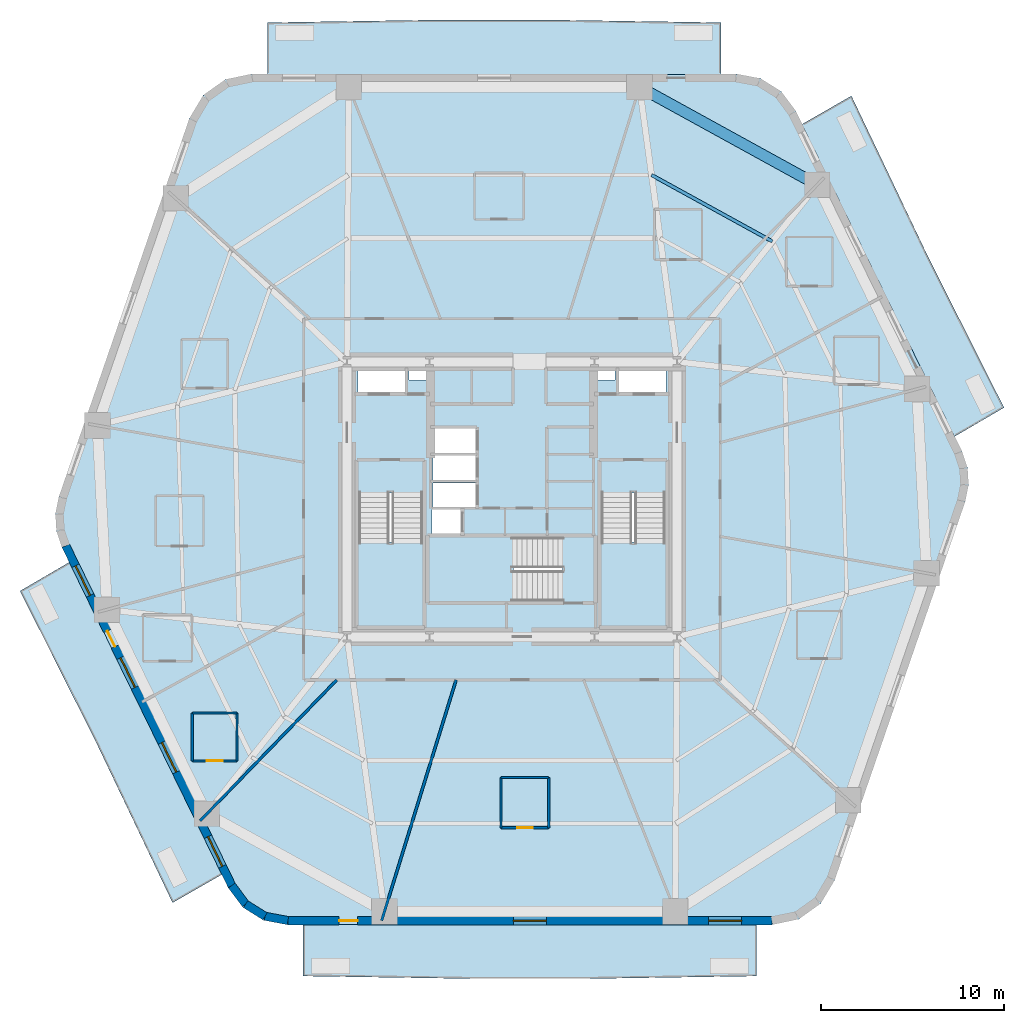
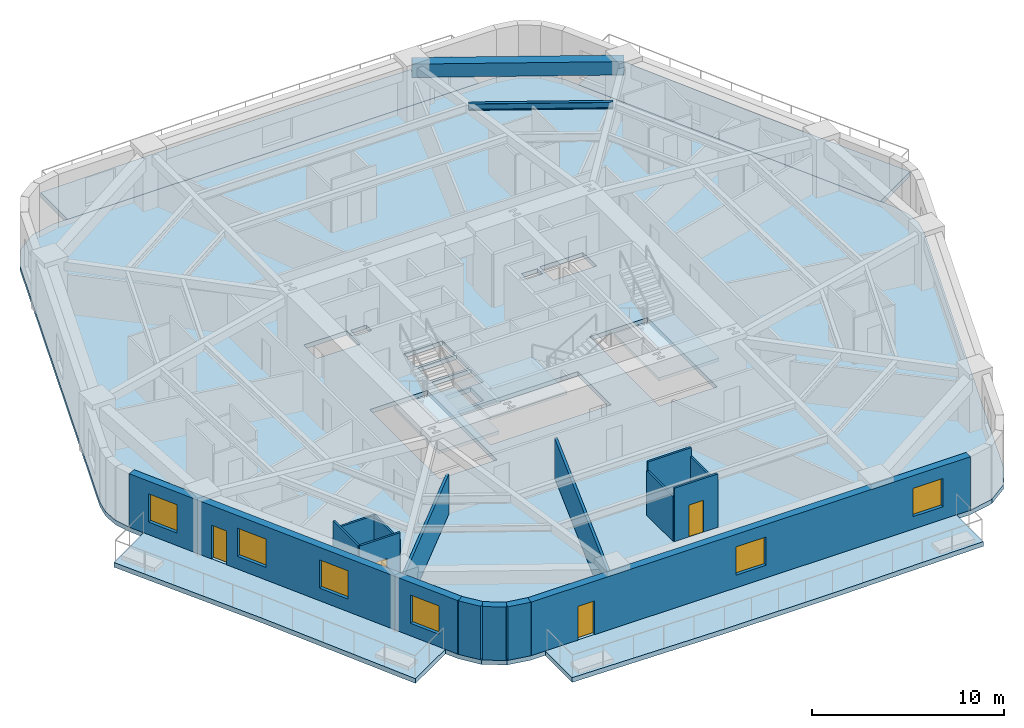
# One storey, part 2 of 10: 15 walls, 8 slabs, 6 windows, 4 doors, 2 beams, 10 openings, 3 elements without a shape of their own.
"""IFC4 building model written with IfcOpenShell, lengths in metres."""

from ifc_helpers import new_model, si_unit, direction, frame, frame_2d, origin, origin_2d, place, context, subcontext, project, spatial, polyline, rectangle, i_section, outline, extrude, material, layer, layer_set, material_profile, profile_set, type_object, element, fill, aggregate, save


model = new_model("IFC4")

# Units and contexts
model_context = context("Model", 3, precision=1e-05, world=origin(), true_north=direction((0.0, 1.0)))
body_context = subcontext(model_context, "Body", "Model", "MODEL_VIEW")
ifc_project = project(units=[si_unit("LENGTHUNIT", "METRE"), si_unit("AREAUNIT", "SQUARE_METRE"), si_unit("VOLUMEUNIT", "CUBIC_METRE"), si_unit("PLANEANGLEUNIT", "RADIAN"), si_unit("MASSUNIT", "GRAM", prefix="KILO")], contexts=[model_context])

# Site, building, storey
site_placement = place(None, origin())
site = spatial("IfcSite", under=ifc_project, at=site_placement, CompositionType="ELEMENT")
building_placement = place(site_placement, origin())
building = spatial("IfcBuilding", under=site, at=building_placement, Name="Kilnhurst Terrace Hotel", CompositionType="ELEMENT")
storey_placement = place(building_placement, frame((0.0, 0.0, 56.39990234375)))
storey = spatial("IfcBuildingStorey", under=building, at=storey_placement, Name="L12", CompositionType="ELEMENT", Elevation=56.39990234375)

# Beams
ifc_material_1 = material(Name="Concrete C50/60", Category="concrete")
ifc_material_profile_1 = material_profile(ifc_material_1, rectangle(XDim=0.60009765625, YDim=0.85009765625, at=origin_2d()), Name="RC600X850")
ifc_profile_set_1 = profile_set([ifc_material_profile_1], Name="Concrete C50/60")
beam_type_1 = type_object("IfcBeamType", Name="BM-SPN-600X850", PredefinedType="SPANDREL", material=ifc_profile_set_1)
beam_1_placement = place(storey_placement, frame((16.64306640625, 17.152099609375, 2.97509765625), z_axis=(-0.876235488803, 0.481883147829, 0.0), x_axis=(-0.481883147829, -0.876235488803, 0.0)))
element("IfcBeam", 1, at=beam_1_placement, inside=storey, type_object=beam_type_1, Name="L12 Perimeter Spandrel Beam 6", PredefinedType="SPANDREL", context=body_context, shape_type="SweptSolid", body=[
    extrude(rectangle(XDim=0.60009765625, YDim=0.85009765625, at=origin_2d()), origin(), (0.0, 0.0, 1.0), 11.056396484375),
])
ifc_material_2 = material(Name="Steel ASTM A992 Grade 50", Category="steel")
ifc_material_profile_2 = material_profile(ifc_material_2, i_section(OverallWidth=0.180908203125, OverallDepth=0.417236328125, WebThickness=0.010986328125, FlangeThickness=0.018310546875, at=origin_2d()), Name="W16X57")
ifc_profile_set_2 = profile_set([ifc_material_profile_2], Name="Steel ASTM A992 Grade 50")
beam_type_2 = type_object("IfcBeamType", Name="JST-STL-W16X57", PredefinedType="JOIST", material=ifc_profile_set_2)
beam_2_placement = place(storey_placement, frame((14.197265625, 14.0634765625, 3.191162109375), z_axis=(-0.876246073632, 0.481863900334, 0.0), x_axis=(-0.481863900334, -0.876246073632, 0.0)))
element("IfcBeam", 2, at=beam_2_placement, inside=storey, type_object=beam_type_2, Name="L12 Secondary Floor Steel Joist OUT.6", PredefinedType="JOIST", context=body_context, shape_type="SweptSolid", body=[
    extrude(i_section(OverallWidth=0.180908203125, OverallDepth=0.417236328125, WebThickness=0.010986328125, FlangeThickness=0.018310546875, at=origin_2d()), origin(), (0.0, 0.0, 1.0), 7.518310546875),
])

# Slabs
ifc_layer_1 = layer(ifc_material_1, 0.300048828125, Name="Concrete C50/60")
ifc_layer_set_1 = layer_set([ifc_layer_1], Name="Concrete C50/60")
slab_type_1 = type_object("IfcSlabType", Name="SLB-BAL-300", PredefinedType="FLOOR", material=ifc_layer_set_1)
slab_1_placement = place(storey_placement, frame((0.0, 0.0, -0.2998046875)))
element("IfcSlab", 3, at=slab_1_placement, inside=storey, type_object=slab_type_1, Name="L12 Cantilevered Planted Terrace Slab BAL-L1A", PredefinedType="FLOOR", context=body_context, shape_type="SweptSolid", body=[
    extrude(outline(polyline([(22.697021484375, 13.21142578125), (26.830810546875, 5.0), (24.128662109375, 3.42333984375), (15.809814453125, 20.452880859375), (18.509521484375, 22.0), (22.697021484375, 13.21142578125)])), origin(), (0.0, 0.0, 1.0), 0.2998046875),
])
slab_2_placement = place(storey_placement, frame((0.0, 0.0, -0.2998046875)))
element("IfcSlab", 4, at=slab_2_placement, inside=storey, type_object=slab_type_1, Name="L12 Cantilevered Planted Terrace Slab BAL-L1B", PredefinedType="FLOOR", context=body_context, shape_type="SweptSolid", body=[
    extrude(outline(polyline([(2.279541015625, 26.139892578125), (11.39208984375, 26.0), (11.39208984375, 23.179931640625), (-13.341552734375, 23.179931640625), (-13.341552734375, 26.0), (-4.229248046875, 26.139892578125), (2.279541015625, 26.139892578125)])), origin(), (0.0, 0.0, 1.0), 0.2998046875),
])
slab_3_placement = place(storey_placement, frame((0.0, 0.0, -0.2998046875)))
element("IfcSlab", 5, at=slab_3_placement, inside=storey, type_object=slab_type_1, Name="L12 Cantilevered Planted Terrace Slab BAL-L2A", PredefinedType="FLOOR", context=body_context, shape_type="SweptSolid", body=[
    extrude(outline(polyline([(-26.830810546875, -5.0), (-24.128662109375, -3.42333984375), (-15.809814453125, -20.452880859375), (-18.509521484375, -22.0), (-22.697021484375, -13.21142578125), (-26.830810546875, -5.0)])), origin(), (0.0, 0.0, 1.0), 0.2998046875),
])
slab_4_placement = place(storey_placement, frame((0.0, 0.0, -0.2998046875)))
element("IfcSlab", 6, at=slab_4_placement, inside=storey, type_object=slab_type_1, Name="L12 Cantilevered Planted Terrace Slab BAL-L2B", PredefinedType="FLOOR", context=body_context, shape_type="SweptSolid", body=[
    extrude(outline(polyline([(-2.279541015625, -26.139892578125), (-11.39208984375, -26.0), (-11.39208984375, -23.179931640625), (13.341552734375, -23.179931640625), (13.341552734375, -26.0), (4.229248046875, -26.139892578125), (-2.279541015625, -26.139892578125)])), origin(), (0.0, 0.0, 1.0), 0.2998046875),
])
ifc_layer_2 = layer(ifc_material_1, 0.280029296875, Name="Concrete C50/60")
ifc_layer_set_2 = layer_set([ifc_layer_2], Name="Concrete C50/60")
slab_type_2 = type_object("IfcSlabType", Name="SLB-FLR-280", PredefinedType="FLOOR", material=ifc_layer_set_2)
slab_5_placement = place(storey_placement, frame((0.0, 0.0, -0.27978515625)))
element("IfcSlab", 7, at=slab_5_placement, inside=storey, type_object=slab_type_2, Name="L12 Structural Floor Slab", PredefinedType="FLOOR", context=body_context, shape_type="SweptSolid", body=[
    extrude(outline(polyline([(-15.476806640625, -21.18017578125), (-14.680908203125, -22.248046875), (-13.551025390625, -22.95361328125), (-12.241943359375, -23.199951171875), (14.191650390625, -23.199951171875), (15.635986328125, -22.8974609375), (16.837890625, -22.040771484375), (17.5947265625, -20.773681640625), (24.712890625, -0.135986328125), (24.90087890625, 0.7861328125), (24.843505859375, 1.7255859375), (24.54443359375, 2.617919921875), (15.476806640625, 21.18017578125), (14.680908203125, 22.248046875), (13.551025390625, 22.95361328125), (12.241943359375, 23.199951171875), (-14.191650390625, 23.199951171875), (-15.635986328125, 22.8974609375), (-16.837890625, 22.040771484375), (-17.5947265625, 20.773681640625), (-24.712890625, 0.135986328125), (-24.90087890625, -0.7861328125), (-24.843505859375, -1.7255859375), (-24.54443359375, -2.617919921875), (-15.476806640625, -21.18017578125)]), holes=[polyline([(-8.35009765625, 0.35498046875), (-4.8798828125, 0.35498046875), (-4.8798828125, -6.89990234375), (-8.35009765625, -6.89990234375), (-8.35009765625, 0.35498046875)]), polyline([(-2.800048828125, -1.89990234375), (-4.35009765625, -1.89990234375), (-4.35009765625, -0.550048828125), (-2.800048828125, -0.550048828125), (-2.800048828125, -1.89990234375)]), polyline([(-1.949951171875, -0.429931640625), (-4.300048828125, -0.429931640625), (-4.300048828125, 0.89990234375), (-1.949951171875, 0.89990234375), (-1.949951171875, -0.429931640625)]), polyline([(-4.300048828125, 1.050048828125), (-4.300048828125, 2.3798828125), (-1.949951171875, 2.3798828125), (-1.949951171875, 1.050048828125), (-4.300048828125, 1.050048828125)]), polyline([(-8.39990234375, 5.75), (-8.39990234375, 7.14990234375), (-5.800048828125, 7.14990234375), (-5.800048828125, 5.75), (-8.39990234375, 5.75)]), polyline([(-4.659912109375, 6.52001953125), (-5.6201171875, 6.52001953125), (-5.6201171875, 7.080078125), (-4.659912109375, 7.080078125), (-4.659912109375, 6.52001953125)]), polyline([(2.7548828125, -5.550048828125), (-4.5, -5.550048828125), (-4.5, -2.080078125), (2.7548828125, -2.080078125), (2.7548828125, -5.550048828125)]), polyline([(8.35009765625, 0.35498046875), (8.35009765625, -6.89990234375), (4.8798828125, -6.89990234375), (4.8798828125, 0.35498046875), (8.35009765625, 0.35498046875)]), polyline([(-1.949951171875, 2.530029296875), (-4.300048828125, 2.530029296875), (-4.300048828125, 3.860107421875), (-1.949951171875, 3.860107421875), (-1.949951171875, 2.530029296875)]), polyline([(5.800048828125, 5.75), (5.800048828125, 7.14990234375), (8.39990234375, 7.14990234375), (8.39990234375, 5.75), (5.800048828125, 5.75)]), polyline([(4.659912109375, 6.52001953125), (4.659912109375, 7.080078125), (5.6201171875, 7.080078125), (5.6201171875, 6.52001953125), (4.659912109375, 6.52001953125)])]), origin(), (0.0, 0.0, 1.0), 0.27978515625),
])

# Stair, slab
stair_type = type_object("IfcStairType", Name="STR-CORE-1660", PredefinedType="HALF_TURN_STAIR", material=ifc_material_1)
stair_1_placement = place(storey_placement, origin())
stair_1 = element("IfcStair", 8, at=stair_1_placement, inside=storey, type_object=stair_type, Name="L12 ST-1", PredefinedType="HALF_TURN_STAIR")
ifc_layer_3 = layer(ifc_material_1, 0.199951171875, Name="Concrete C50/60")
ifc_layer_set_3 = layer_set([ifc_layer_3], Name="Concrete C50/60")
slab_type_3 = type_object("IfcSlabType", Name="SLB-ST-LND-200", PredefinedType="LANDING", material=ifc_layer_set_3)
slab_6_placement = place(storey_placement, frame((0.0, 0.0, 1.650146484375)))
slab_6 = element("IfcSlab", 9, at=slab_6_placement, type_object=slab_type_3, Name="ST-1 landing 1", PredefinedType="LANDING", context=body_context, shape_type="SweptSolid", body=[
    extrude(outline(polyline([(-8.429931640625, -2.330078125), (-4.800048828125, -2.330078125), (-4.800048828125, -6.97998046875), (-8.429931640625, -6.97998046875), (-8.429931640625, -2.330078125)])), origin(), (0.0, 0.0, 1.0), 0.199951171875),
])
aggregate(stair_1, [slab_6])

stair_2_placement = place(storey_placement, origin())
stair_2 = element("IfcStair", 10, at=stair_2_placement, inside=storey, type_object=stair_type, Name="L12 ST-2", PredefinedType="HALF_TURN_STAIR")
slab_7_placement = place(storey_placement, frame((0.0, 0.0, 1.650146484375)))
slab_7 = element("IfcSlab", 11, at=slab_7_placement, type_object=slab_type_3, Name="ST-2 landing 1", PredefinedType="LANDING", context=body_context, shape_type="SweptSolid", body=[
    extrude(outline(polyline([(4.800048828125, -2.330078125), (8.429931640625, -2.330078125), (8.429931640625, -6.97998046875), (4.800048828125, -6.97998046875), (4.800048828125, -2.330078125)])), origin(), (0.0, 0.0, 1.0), 0.199951171875),
])
aggregate(stair_2, [slab_7])

stair_3_placement = place(storey_placement, origin())
stair_3 = element("IfcStair", 12, at=stair_3_placement, inside=storey, type_object=stair_type, Name="L12 ST-3", PredefinedType="HALF_TURN_STAIR")
slab_8_placement = place(storey_placement, frame((0.0, 0.0, 1.650146484375)))
slab_8 = element("IfcSlab", 13, at=slab_8_placement, type_object=slab_type_3, Name="ST-3 landing 1", PredefinedType="LANDING", context=body_context, shape_type="SweptSolid", body=[
    extrude(outline(polyline([(0.070068359375, -2.0), (0.070068359375, -5.6298828125), (-4.580078125, -5.6298828125), (-4.580078125, -2.0), (0.070068359375, -2.0)])), origin(), (0.0, 0.0, 1.0), 0.199951171875),
])
aggregate(stair_3, [slab_8])

# Walls
ifc_material_3 = material(Name="Precast concrete C40/50", Category="concrete")
ifc_layer_4 = layer(ifc_material_3, 0.449951171875, Name="Precast concrete C40/50")
ifc_layer_set_4 = layer_set([ifc_layer_4], Name="Precast concrete C40/50")
wall_type_1 = type_object("IfcWallType", Name="WL-BRK-450", PredefinedType="SOLIDWALL", material=ifc_layer_set_4)
wall_1_placement = place(storey_placement, frame((-15.28369140625, -21.0625, 0.0), z_axis=(0.0, 0.0, 1.0), x_axis=(0.597595366449, -0.801797841104, 0.0)))
element("IfcWall", 14, at=wall_1_placement, inside=storey, type_object=wall_type_1, Name="L12 Rounded Corner Brick Wall C1.1", PredefinedType="SOLIDWALL", context=body_context, shape_type="SweptSolid", body=[
    extrude(rectangle(XDim=1.2685546875, YDim=0.449951171875, at=frame_2d((0.63427734375, 0.0))), origin(), (0.0, 0.0, 1.0), 3.400146484375),
])
wall_2_placement = place(storey_placement, frame((-14.525634765625, -22.07958984375, 0.0), z_axis=(0.0, 0.0, 1.0), x_axis=(0.848185203596, -0.529699783275, 0.0)))
element("IfcWall", 15, at=wall_2_placement, inside=storey, type_object=wall_type_1, Name="L12 Rounded Corner Brick Wall C1.2", PredefinedType="SOLIDWALL", context=body_context, shape_type="SweptSolid", body=[
    extrude(rectangle(XDim=1.247314453125, YDim=0.449951171875, at=frame_2d((0.62353515625, 0.0))), origin(), (0.0, 0.0, 1.0), 3.400146484375),
])
wall_3_placement = place(storey_placement, frame((-13.4677734375, -22.740234375, 0.0), z_axis=(0.0, 0.0, 1.0), x_axis=(0.982717174228, -0.185113358451, 0.0)))
element("IfcWall", 16, at=wall_3_placement, inside=storey, type_object=wall_type_1, Name="L12 Rounded Corner Brick Wall C1.3", PredefinedType="SOLIDWALL", context=body_context, shape_type="SweptSolid", body=[
    extrude(rectangle(XDim=1.268798828125, YDim=0.449951171875, at=frame_2d((0.63427734375, 0.0))), origin(), (0.0, 0.0, 1.0), 3.400146484375),
])

# Wall, openings, door, windows
wall_4_placement = place(storey_placement, frame((-12.220947265625, -22.97509765625, 0.0), z_axis=(0.0, 0.0, 1.0), x_axis=(1.0, 0.0, 0.0)))
wall_4 = element("IfcWall", 17, at=wall_4_placement, inside=storey, type_object=wall_type_1, Name="L12 Exterior Brick Facade Wall F1", PredefinedType="SOLIDWALL", context=body_context, shape_type="SweptSolid", body=[
    extrude(rectangle(XDim=26.38916015625, YDim=0.449951171875, at=frame_2d((13.194580078125, 0.0))), origin(), (0.0, 0.0, 1.0), 3.400146484375),
])
opening_1_placement = place(wall_4_placement, frame((2.799072265625, 0.0, 0.0)))
opening_1 = element("IfcOpeningElement", 18, at=opening_1_placement, cuts=wall_4, Name="Opening BD-1000", PredefinedType="OPENING", context=body_context, shape_type="SweptSolid", body=[
    extrude(rectangle(XDim=1.0, YDim=2.14990234375, at=frame_2d((0.5, 1.074951171875))), frame((0.0, 0.23486328125, 0.0), z_axis=(0.0, -1.0, 0.0), x_axis=(1.0, 0.0, 0.0)), (0.0, 0.0, 1.0), 0.469970703125),
])
opening_2_placement = place(wall_4_placement, frame((12.2958984375, 0.0, 0.800048828125)))
opening_2 = element("IfcOpeningElement", 19, at=opening_2_placement, cuts=wall_4, Name="Opening W-01", PredefinedType="OPENING", context=body_context, shape_type="SweptSolid", body=[
    extrude(rectangle(XDim=1.800048828125, YDim=1.800048828125, at=frame_2d((0.89990234375, 0.89990234375))), frame((0.0, 0.23486328125, 0.0), z_axis=(0.0, -1.0, 0.0), x_axis=(1.0, 0.0, 0.0)), (0.0, 0.0, 1.0), 0.469970703125),
])
opening_3_placement = place(wall_4_placement, frame((22.93798828125, 0.0, 0.800048828125)))
opening_3 = element("IfcOpeningElement", 20, at=opening_3_placement, cuts=wall_4, Name="Opening W-01", PredefinedType="OPENING", context=body_context, shape_type="SweptSolid", body=[
    extrude(rectangle(XDim=1.800048828125, YDim=1.800048828125, at=frame_2d((0.89990234375, 0.89990234375))), frame((0.0, 0.23486328125, 0.0), z_axis=(0.0, -1.0, 0.0), x_axis=(1.0, 0.0, 0.0)), (0.0, 0.0, 1.0), 0.469970703125),
])
ifc_material_4 = material(Name="Thermally Broken Bronze Aluminium Alloy 6063-T6 and Laminated Glass", Category="aluminium")
door_type_1 = type_object("IfcDoorType", Name="DR-EXT-BAL-1000", OperationType="NOTDEFINED", PredefinedType="DOOR", material=ifc_material_4)
door_1_placement = place(opening_1_placement, origin())
door_1 = element("IfcDoor", 21, at=door_1_placement, inside=storey, type_object=door_type_1, Name="L12 Planted Balcony Door BAL-L2B", OperationType="SINGLE_SWING_LEFT", OverallHeight=2.14990234375, OverallWidth=1.0, PredefinedType="DOOR", context=body_context, shape_type="SweptSolid", body=[
    extrude(rectangle(XDim=1.0, YDim=2.14990234375, at=frame_2d((0.5, 1.074951171875))), frame((0.0, 0.02490234375, 0.0), z_axis=(0.0, -1.0, 0.0), x_axis=(1.0, 0.0, 0.0)), (0.0, 0.0, 1.0), 0.050048828125),
])
fill(opening_1, door_1)
ifc_material_5 = material(Name="Thermally Broken Bronze Aluminium Alloy 6063-T6 and Low-E Glass", Category="aluminium")
window_type = type_object("IfcWindowType", Name="WIN-1800X1800", PartitioningType="SINGLE_PANEL", PredefinedType="WINDOW", material=ifc_material_5)
window_1_placement = place(opening_2_placement, origin())
window_1 = element("IfcWindow", 22, at=window_1_placement, inside=storey, type_object=window_type, Name="L12 Deep-Set Masonry Window F1.1", OverallHeight=1.800048828125, OverallWidth=1.800048828125, PartitioningType="SINGLE_PANEL", PredefinedType="WINDOW", context=body_context, shape_type="SweptSolid", body=[
    extrude(rectangle(XDim=1.800048828125, YDim=1.800048828125, at=frame_2d((0.89990234375, 0.89990234375))), frame((0.0, 0.030029296875, 0.0), z_axis=(0.0, -1.0, 0.0), x_axis=(1.0, 0.0, 0.0)), (0.0, 0.0, 1.0), 0.06005859375),
])
fill(opening_2, window_1)
window_2_placement = place(opening_3_placement, origin())
window_2 = element("IfcWindow", 23, at=window_2_placement, inside=storey, type_object=window_type, Name="L12 Deep-Set Masonry Window F1.2", OverallHeight=1.800048828125, OverallWidth=1.800048828125, PartitioningType="SINGLE_PANEL", PredefinedType="WINDOW", context=body_context, shape_type="SweptSolid", body=[
    extrude(rectangle(XDim=1.800048828125, YDim=1.800048828125, at=frame_2d((0.89990234375, 0.89990234375))), frame((0.0, 0.030029296875, 0.0), z_axis=(0.0, -1.0, 0.0), x_axis=(1.0, 0.0, 0.0)), (0.0, 0.0, 1.0), 0.06005859375),
])
fill(opening_3, window_2)

wall_5_placement = place(storey_placement, frame((-24.335693359375, -2.532470703125, 0.0), z_axis=(0.0, 0.0, 1.0), x_axis=(0.438931326393, -0.898520612291, 0.0)))
wall_5 = element("IfcWall", 24, at=wall_5_placement, inside=storey, type_object=wall_type_1, Name="L12 Exterior Brick Facade Wall F6", PredefinedType="SOLIDWALL", context=body_context, shape_type="SweptSolid", body=[
    extrude(rectangle(XDim=20.622802734375, YDim=0.449951171875, at=frame_2d((10.3115234375, 0.0))), origin(), (0.0, 0.0, 1.0), 3.400146484375),
])
opening_4_placement = place(wall_5_placement, frame((5.1708984375, 0.0, 0.0)))
opening_4 = element("IfcOpeningElement", 25, at=opening_4_placement, cuts=wall_5, Name="Opening BD-950", PredefinedType="OPENING", context=body_context, shape_type="SweptSolid", body=[
    extrude(rectangle(XDim=0.949951171875, YDim=2.14990234375, at=frame_2d((0.47509765625, 1.074951171875))), frame((0.0, 0.23486328125, 0.0), z_axis=(0.0, -1.0, 0.0), x_axis=(1.0, 0.0, 0.0)), (0.0, 0.0, 1.0), 0.469970703125),
])
opening_5_placement = place(wall_5_placement, frame((1.214111328125, 0.0, 0.800048828125)))
opening_5 = element("IfcOpeningElement", 26, at=opening_5_placement, cuts=wall_5, Name="Opening W-01", PredefinedType="OPENING", context=body_context, shape_type="SweptSolid", body=[
    extrude(rectangle(XDim=1.800048828125, YDim=1.800048828125, at=frame_2d((0.89990234375, 0.89990234375))), frame((0.0, 0.23486328125, 0.0), z_axis=(0.0, -1.0, 0.0), x_axis=(1.0, 0.0, 0.0)), (0.0, 0.0, 1.0), 0.469970703125),
])
opening_6_placement = place(wall_5_placement, frame((6.800048828125, 0.0, 0.800048828125)))
opening_6 = element("IfcOpeningElement", 27, at=opening_6_placement, cuts=wall_5, Name="Opening W-01", PredefinedType="OPENING", context=body_context, shape_type="SweptSolid", body=[
    extrude(rectangle(XDim=1.800048828125, YDim=1.800048828125, at=frame_2d((0.89990234375, 0.89990234375))), frame((0.0, 0.23486328125, 0.0), z_axis=(0.0, -1.0, 0.0), x_axis=(1.0, 0.0, 0.0)), (0.0, 0.0, 1.0), 0.469970703125),
])
opening_7_placement = place(wall_5_placement, frame((11.94189453125, 0.0, 0.800048828125)))
opening_7 = element("IfcOpeningElement", 28, at=opening_7_placement, cuts=wall_5, Name="Opening W-01", PredefinedType="OPENING", context=body_context, shape_type="SweptSolid", body=[
    extrude(rectangle(XDim=1.800048828125, YDim=1.800048828125, at=frame_2d((0.89990234375, 0.89990234375))), frame((0.0, 0.23486328125, 0.0), z_axis=(0.0, -1.0, 0.0), x_axis=(1.0, 0.0, 0.0)), (0.0, 0.0, 1.0), 0.469970703125),
])
opening_8_placement = place(wall_5_placement, frame((17.659912109375, 0.0, 0.800048828125)))
opening_8 = element("IfcOpeningElement", 29, at=opening_8_placement, cuts=wall_5, Name="Opening W-01", PredefinedType="OPENING", context=body_context, shape_type="SweptSolid", body=[
    extrude(rectangle(XDim=1.800048828125, YDim=1.800048828125, at=frame_2d((0.89990234375, 0.89990234375))), frame((0.0, 0.23486328125, 0.0), z_axis=(0.0, -1.0, 0.0), x_axis=(1.0, 0.0, 0.0)), (0.0, 0.0, 1.0), 0.469970703125),
])
door_type_2 = type_object("IfcDoorType", Name="DR-EXT-BAL-950", OperationType="NOTDEFINED", PredefinedType="DOOR", material=ifc_material_4)
door_2_placement = place(opening_4_placement, origin())
door_2 = element("IfcDoor", 30, at=door_2_placement, inside=storey, type_object=door_type_2, Name="L12 Planted Balcony Door BAL-L2A", OperationType="SINGLE_SWING_RIGHT", OverallHeight=2.14990234375, OverallWidth=0.949951171875, PredefinedType="DOOR", context=body_context, shape_type="SweptSolid", body=[
    extrude(rectangle(XDim=0.949951171875, YDim=2.14990234375, at=frame_2d((0.47509765625, 1.074951171875))), frame((0.0, 0.02490234375, 0.0), z_axis=(0.0, -1.0, 0.0), x_axis=(1.0, 0.0, 0.0)), (0.0, 0.0, 1.0), 0.050048828125),
])
fill(opening_4, door_2)
window_3_placement = place(opening_5_placement, origin())
window_3 = element("IfcWindow", 31, at=window_3_placement, inside=storey, type_object=window_type, Name="L12 Deep-Set Masonry Window F6.1", OverallHeight=1.800048828125, OverallWidth=1.800048828125, PartitioningType="SINGLE_PANEL", PredefinedType="WINDOW", context=body_context, shape_type="SweptSolid", body=[
    extrude(rectangle(XDim=1.800048828125, YDim=1.800048828125, at=frame_2d((0.89990234375, 0.89990234375))), frame((0.0, 0.030029296875, 0.0), z_axis=(0.0, -1.0, 0.0), x_axis=(1.0, 0.0, 0.0)), (0.0, 0.0, 1.0), 0.06005859375),
])
fill(opening_5, window_3)
window_4_placement = place(opening_6_placement, origin())
window_4 = element("IfcWindow", 32, at=window_4_placement, inside=storey, type_object=window_type, Name="L12 Deep-Set Masonry Window F6.2", OverallHeight=1.800048828125, OverallWidth=1.800048828125, PartitioningType="SINGLE_PANEL", PredefinedType="WINDOW", context=body_context, shape_type="SweptSolid", body=[
    extrude(rectangle(XDim=1.800048828125, YDim=1.800048828125, at=frame_2d((0.89990234375, 0.89990234375))), frame((0.0, 0.030029296875, 0.0), z_axis=(0.0, -1.0, 0.0), x_axis=(1.0, 0.0, 0.0)), (0.0, 0.0, 1.0), 0.06005859375),
])
fill(opening_6, window_4)
window_5_placement = place(opening_7_placement, origin())
window_5 = element("IfcWindow", 33, at=window_5_placement, inside=storey, type_object=window_type, Name="L12 Deep-Set Masonry Window F6.3", OverallHeight=1.800048828125, OverallWidth=1.800048828125, PartitioningType="SINGLE_PANEL", PredefinedType="WINDOW", context=body_context, shape_type="SweptSolid", body=[
    extrude(rectangle(XDim=1.800048828125, YDim=1.800048828125, at=frame_2d((0.89990234375, 0.89990234375))), frame((0.0, 0.030029296875, 0.0), z_axis=(0.0, -1.0, 0.0), x_axis=(1.0, 0.0, 0.0)), (0.0, 0.0, 1.0), 0.06005859375),
])
fill(opening_7, window_5)
window_6_placement = place(opening_8_placement, origin())
window_6 = element("IfcWindow", 34, at=window_6_placement, inside=storey, type_object=window_type, Name="L12 Deep-Set Masonry Window F6.4", OverallHeight=1.800048828125, OverallWidth=1.800048828125, PartitioningType="SINGLE_PANEL", PredefinedType="WINDOW", context=body_context, shape_type="SweptSolid", body=[
    extrude(rectangle(XDim=1.800048828125, YDim=1.800048828125, at=frame_2d((0.89990234375, 0.89990234375))), frame((0.0, 0.030029296875, 0.0), z_axis=(0.0, -1.0, 0.0), x_axis=(1.0, 0.0, 0.0)), (0.0, 0.0, 1.0), 0.06005859375),
])
fill(opening_8, window_6)

# Walls
ifc_material_6 = material(Name="STC-58 Acoustic Twin-Frame Guestroom Demising Partition")
ifc_layer_5 = layer(ifc_material_6, 0.14990234375, Name="STC-58 Acoustic Twin-Frame Guestroom Demising Partition")
ifc_layer_set_5 = layer_set([ifc_layer_5], Name="STC-58 Acoustic Twin-Frame Guestroom Demising Partition")
wall_type_2 = type_object("IfcWallType", Name="WL-DEM-150", PredefinedType="PARTITIONING", material=ifc_layer_set_5)
wall_6_placement = place(storey_placement, frame((-9.5576171875, -9.85009765625, 0.0), z_axis=(0.0, 0.0, 1.0), x_axis=(-0.69638346089, -0.717669893056, 0.0)))
element("IfcWall", 35, at=wall_6_placement, inside=storey, type_object=wall_type_2, Name="L12 Interior Wall WL-L12-DEM-COL08-10-1", PredefinedType="PARTITIONING", context=body_context, shape_type="SweptSolid", body=[
    extrude(rectangle(XDim=10.700927734375, YDim=0.14990234375, at=frame_2d((5.3505859375, 0.0))), origin(), (0.0, 0.0, 1.0), 2.5400390625),
])
wall_7_placement = place(storey_placement, frame((-3.047607421875, -9.85009765625, 0.0), z_axis=(0.0, 0.0, 1.0), x_axis=(-0.295553992761, -0.955326037206, 0.0)))
element("IfcWall", 36, at=wall_7_placement, inside=storey, type_object=wall_type_2, Name="L12 Interior Wall WL-L12-DEM-COL09-11-1", PredefinedType="PARTITIONING", context=body_context, shape_type="SweptSolid", body=[
    extrude(rectangle(XDim=13.73876953125, YDim=0.14990234375, at=frame_2d((6.869384765625, 0.0))), origin(), (0.0, 0.0, 1.0), 2.5400390625),
])

# Wall, opening, door
ifc_material_7 = material(Name="120 mm Moisture-Resistant Tile-Backed Bathroom Partition")
ifc_layer_6 = layer(ifc_material_7, 0.1201171875, Name="120 mm Moisture-Resistant Tile-Backed Bathroom Partition")
ifc_layer_set_6 = layer_set([ifc_layer_6], Name="120 mm Moisture-Resistant Tile-Backed Bathroom Partition")
wall_type_3 = type_object("IfcWallType", Name="WL-PART-120", PredefinedType="PARTITIONING", material=ifc_layer_set_6)
wall_8_placement = place(storey_placement, frame((-17.431884765625, -14.262939453125, 0.0), z_axis=(0.0, 0.0, 1.0), x_axis=(1.0, 0.0, 0.0)))
wall_8 = element("IfcWall", 37, at=wall_8_placement, inside=storey, type_object=wall_type_3, Name="L12 Interior Wall WL-L12-BTH-09-1", PredefinedType="PARTITIONING", context=body_context, shape_type="SweptSolid", body=[
    extrude(rectangle(XDim=2.43994140625, YDim=0.1201171875, at=frame_2d((1.219970703125, 0.0))), origin(), (0.0, 0.0, 1.0), 3.400146484375),
])
opening_9_placement = place(wall_8_placement, frame((0.794921875, 0.0, 0.0)))
opening_9 = element("IfcOpeningElement", 38, at=opening_9_placement, cuts=wall_8, Name="Opening D-08A", PredefinedType="OPENING", context=body_context, shape_type="SweptSolid", body=[
    extrude(rectangle(XDim=0.85009765625, YDim=2.030029296875, at=frame_2d((0.425048828125, 1.01513671875))), frame((0.0, 0.070068359375, 0.0), z_axis=(0.0, -1.0, 0.0), x_axis=(1.0, 0.0, 0.0)), (0.0, 0.0, 1.0), 0.14013671875),
])
ifc_material_8 = material(Name="Moisture-Resistant Lacquered En-suite Bathroom Door")
door_type_3 = type_object("IfcDoorType", Name="DR-INT-850", OperationType="NOTDEFINED", PredefinedType="DOOR", material=ifc_material_8)
door_3_placement = place(opening_9_placement, origin())
door_3 = element("IfcDoor", 39, at=door_3_placement, inside=storey, type_object=door_type_3, Name="L12 En-suite Bathroom Door 9", OperationType="SINGLE_SWING_RIGHT", OverallHeight=2.030029296875, OverallWidth=0.85009765625, PredefinedType="DOOR", context=body_context, shape_type="SweptSolid", body=[
    extrude(rectangle(XDim=0.85009765625, YDim=2.030029296875, at=frame_2d((0.425048828125, 1.01513671875))), frame((0.0, 0.02490234375, 0.0), z_axis=(0.0, -1.0, 0.0), x_axis=(1.0, 0.0, 0.0)), (0.0, 0.0, 1.0), 0.050048828125),
])
fill(opening_9, door_3)

# Walls
wall_9_placement = place(storey_placement, frame((-14.991943359375, -14.262939453125, 0.0), z_axis=(0.0, 0.0, 1.0), x_axis=(0.0, 1.0, 0.0)))
element("IfcWall", 40, at=wall_9_placement, inside=storey, type_object=wall_type_3, Name="L12 Interior Wall WL-L12-BTH-09-2", PredefinedType="PARTITIONING", context=body_context, shape_type="SweptSolid", body=[
    extrude(rectangle(XDim=2.60986328125, YDim=0.1201171875, at=frame_2d((1.304931640625, 0.0))), origin(), (0.0, 0.0, 1.0), 2.926513671875),
])
wall_10_placement = place(storey_placement, frame((-14.991943359375, -11.653076171875, 0.0), z_axis=(0.0, 0.0, 1.0), x_axis=(-1.0, 0.0, 0.0)))
element("IfcWall", 41, at=wall_10_placement, inside=storey, type_object=wall_type_3, Name="L12 Interior Wall WL-L12-BTH-09-3", PredefinedType="PARTITIONING", context=body_context, shape_type="SweptSolid", body=[
    extrude(rectangle(XDim=2.43994140625, YDim=0.1201171875, at=frame_2d((1.219970703125, 0.0))), origin(), (0.0, 0.0, 1.0), 2.926513671875),
])
wall_11_placement = place(storey_placement, frame((-17.431884765625, -11.653076171875, 0.0), z_axis=(0.0, 0.0, 1.0), x_axis=(0.0, -1.0, 0.0)))
element("IfcWall", 42, at=wall_11_placement, inside=storey, type_object=wall_type_3, Name="L12 Interior Wall WL-L12-BTH-09-4", PredefinedType="PARTITIONING", context=body_context, shape_type="SweptSolid", body=[
    extrude(rectangle(XDim=2.60986328125, YDim=0.1201171875, at=frame_2d((1.304931640625, 0.0))), origin(), (0.0, 0.0, 1.0), 3.400146484375),
])

# Wall, opening, door
wall_12_placement = place(storey_placement, frame((-0.597900390625, -17.912109375, 0.0), z_axis=(0.0, 0.0, 1.0), x_axis=(1.0, 0.0, 0.0)))
wall_12 = element("IfcWall", 43, at=wall_12_placement, inside=storey, type_object=wall_type_3, Name="L12 Interior Wall WL-L12-BTH-11-1", PredefinedType="PARTITIONING", context=body_context, shape_type="SweptSolid", body=[
    extrude(rectangle(XDim=2.599853515625, YDim=0.1201171875, at=frame_2d((1.2998046875, 0.0))), origin(), (0.0, 0.0, 1.0), 3.400146484375),
])
opening_10_placement = place(wall_12_placement, frame((0.875, 0.0, 0.0)))
opening_10 = element("IfcOpeningElement", 44, at=opening_10_placement, cuts=wall_12, Name="Opening D-08A", PredefinedType="OPENING", context=body_context, shape_type="SweptSolid", body=[
    extrude(rectangle(XDim=0.85009765625, YDim=2.030029296875, at=frame_2d((0.425048828125, 1.01513671875))), frame((0.0, 0.070068359375, 0.0), z_axis=(0.0, -1.0, 0.0), x_axis=(1.0, 0.0, 0.0)), (0.0, 0.0, 1.0), 0.14013671875),
])
door_4_placement = place(opening_10_placement, origin())
door_4 = element("IfcDoor", 45, at=door_4_placement, inside=storey, type_object=door_type_3, Name="L12 En-suite Bathroom Door 11", OperationType="SINGLE_SWING_RIGHT", OverallHeight=2.030029296875, OverallWidth=0.85009765625, PredefinedType="DOOR", context=body_context, shape_type="SweptSolid", body=[
    extrude(rectangle(XDim=0.85009765625, YDim=2.030029296875, at=frame_2d((0.425048828125, 1.01513671875))), frame((0.0, 0.02490234375, 0.0), z_axis=(0.0, -1.0, 0.0), x_axis=(1.0, 0.0, 0.0)), (0.0, 0.0, 1.0), 0.050048828125),
])
fill(opening_10, door_4)

# Walls
wall_13_placement = place(storey_placement, frame((2.001953125, -17.912109375, 0.0), z_axis=(0.0, 0.0, 1.0), x_axis=(0.0, 1.0, 0.0)))
element("IfcWall", 46, at=wall_13_placement, inside=storey, type_object=wall_type_3, Name="L12 Interior Wall WL-L12-BTH-11-2", PredefinedType="PARTITIONING", context=body_context, shape_type="SweptSolid", body=[
    extrude(rectangle(XDim=2.75, YDim=0.1201171875, at=frame_2d((1.375, 0.0))), origin(), (0.0, 0.0, 1.0), 2.840576171875),
])
wall_14_placement = place(storey_placement, frame((2.001953125, -15.162109375, 0.0), z_axis=(0.0, 0.0, 1.0), x_axis=(-1.0, 0.0, 0.0)))
element("IfcWall", 47, at=wall_14_placement, inside=storey, type_object=wall_type_3, Name="L12 Interior Wall WL-L12-BTH-11-3", PredefinedType="PARTITIONING", context=body_context, shape_type="SweptSolid", body=[
    extrude(rectangle(XDim=2.599853515625, YDim=0.1201171875, at=frame_2d((1.2998046875, 0.0))), origin(), (0.0, 0.0, 1.0), 3.400146484375),
])
wall_15_placement = place(storey_placement, frame((-0.597900390625, -15.162109375, 0.0), z_axis=(0.0, 0.0, 1.0), x_axis=(0.0, -1.0, 0.0)))
element("IfcWall", 48, at=wall_15_placement, inside=storey, type_object=wall_type_3, Name="L12 Interior Wall WL-L12-BTH-11-4", PredefinedType="PARTITIONING", context=body_context, shape_type="SweptSolid", body=[
    extrude(rectangle(XDim=2.75, YDim=0.1201171875, at=frame_2d((1.375, 0.0))), origin(), (0.0, 0.0, 1.0), 2.840576171875),
])

save(model, "model.ifc")
